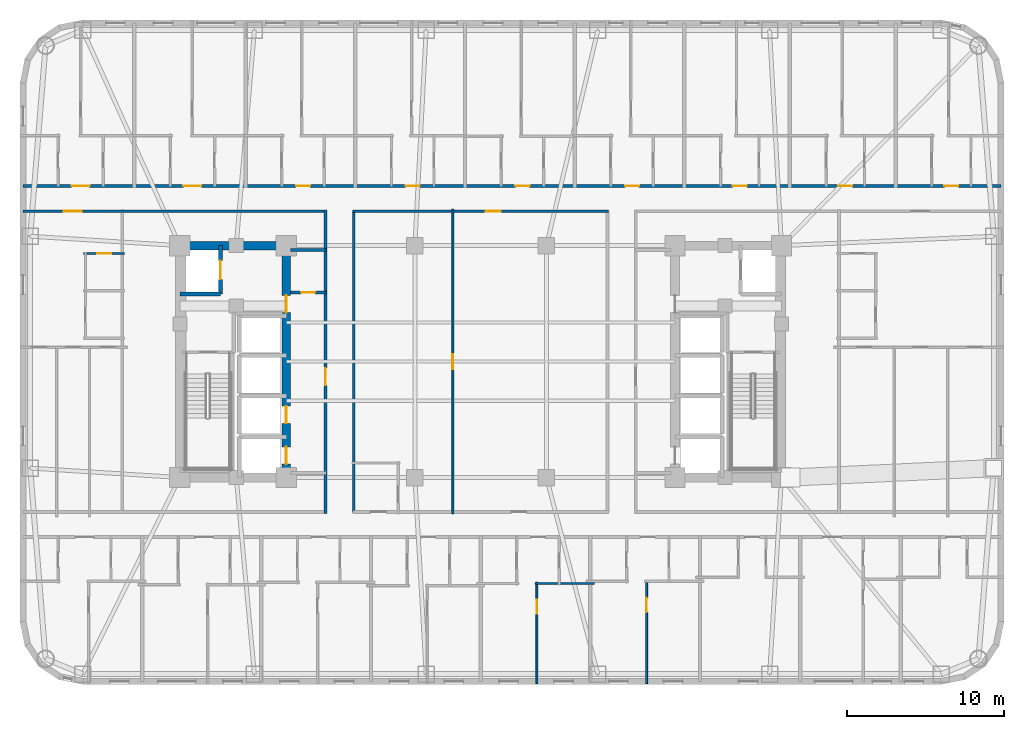
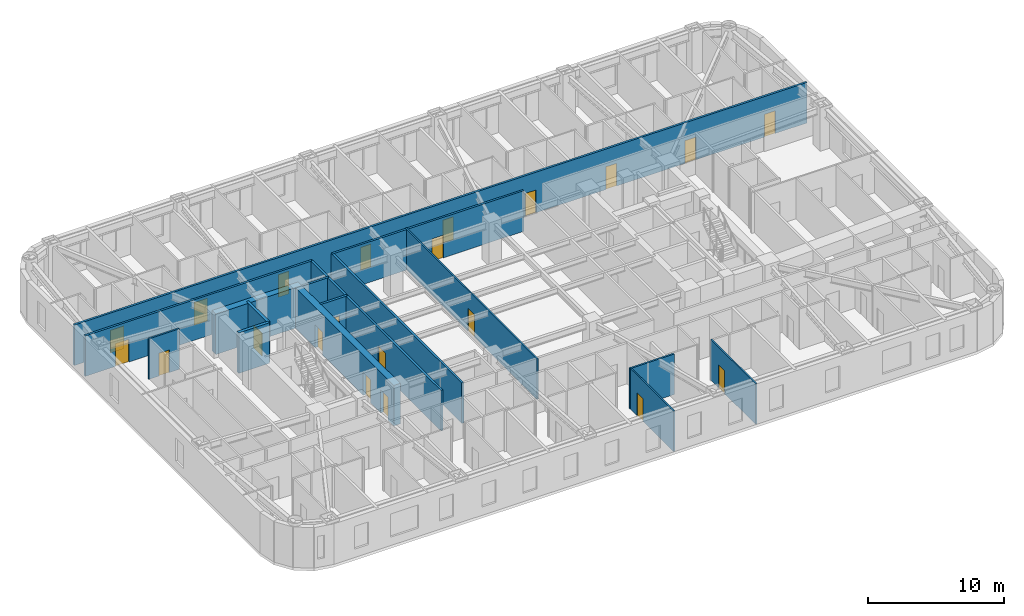
# One storey, part 6 of 13: 21 doors, 16 walls, 21 openings.
"""IFC4 building model written with IfcOpenShell, lengths in metres."""

import ifcopenshell
import ifcopenshell.guid

model = None  # the IFC model being written
_history = None  # IfcOwnerHistory: only IFC2X3 demands one
_inside = {}  # id of a spatial element -> (the spatial element, [elements in it])
_under = {}  # id of a project, library or spatial element -> (it, [spatial elements below it])
_declared = {}  # id of a project -> (the project, [libraries it declares])
_typed = {}  # id of a type object -> (the type object, [elements of that type])
_made_of = {}  # id of a material, layer set ... -> (it, [elements and type objects made of it])


def new_model(schema):
    """Start an empty IFC model of exactly this schema.

    Asked for "IFC4X3", IfcOpenShell would pick the latest addendum, in which some entities
    have other attributes; the version numbers below select the first issue.
    IFC2X3 requires an IfcOwnerHistory on every rooted entity: one is made here for all.
    """
    global model, _history
    if schema == "IFC4X3":
        model = ifcopenshell.file(schema_version=(4, 3, 0, 0))
    else:
        model = ifcopenshell.file(schema=schema)
    _inside.clear()
    _under.clear()
    _declared.clear()
    _typed.clear()
    _made_of.clear()
    _history = None
    if model.schema == "IFC2X3":
        org = make("IfcOrganization", Name="unknown")
        user = make(
            "IfcPersonAndOrganization",
            ThePerson=make("IfcPerson", FamilyName="unknown"),
            TheOrganization=org,
        )
        app = make(
            "IfcApplication",
            ApplicationDeveloper=org,
            Version="unknown",
            ApplicationFullName="unknown",
            ApplicationIdentifier="unknown",
        )
        _history = make(
            "IfcOwnerHistory",
            OwningUser=user,
            OwningApplication=app,
            ChangeAction="ADDED",
            CreationDate=0,
        )
    return model


def make(cls, **values):
    """One entity of the class cls with the attributes given. An attribute that is None is left unset."""
    return model.create_entity(
        cls, **{name: value for name, value in values.items() if value is not None}
    )


def rooted(cls, **values):
    """An entity with a GlobalId (a new one), such as an element, a storey or a relation."""
    return make(cls, GlobalId=ifcopenshell.guid.new(), OwnerHistory=_history, **values)


def si_unit(unit_type, name, prefix=None):
    """IfcSIUnit, for example si_unit("LENGTHUNIT", "METRE", prefix="MILLI")."""
    return make("IfcSIUnit", UnitType=unit_type, Prefix=prefix, Name=name)


def assignment(units):
    """IfcUnitAssignment: the units of a project."""
    return None if units is None else make("IfcUnitAssignment", Units=units)


def point(xyz):
    """IfcCartesianPoint."""
    return None if xyz is None else make("IfcCartesianPoint", Coordinates=xyz)


def direction(xyz):
    """IfcDirection."""
    return None if xyz is None else make("IfcDirection", DirectionRatios=xyz)


def frame(location, z_axis=None, x_axis=None):
    """IfcAxis2Placement3D, a coordinate frame: its origin and axes. An axis left out is left unset."""
    return make(
        "IfcAxis2Placement3D",
        Location=point(location),
        Axis=direction(z_axis),
        RefDirection=direction(x_axis),
    )


def frame_2d(location, x_axis=None):
    """IfcAxis2Placement2D, a coordinate frame in the plane: its origin and x axis."""
    return make(
        "IfcAxis2Placement2D", Location=point(location), RefDirection=direction(x_axis)
    )


def origin():
    """The frame at (0, 0, 0) with its axes left unset."""
    return frame((0.0, 0.0, 0.0))


def place(relative_to, where):
    """IfcLocalPlacement: puts the frame where relative to a parent placement (None: the world)."""
    return make(
        "IfcLocalPlacement", PlacementRelTo=relative_to, RelativePlacement=where
    )


def context(
    kind, dimensions, precision=None, world=None, true_north=None, identifier=None
):
    """IfcGeometricRepresentationContext, for example the 3D "Model" context."""
    return make(
        "IfcGeometricRepresentationContext",
        ContextIdentifier=identifier,
        ContextType=kind,
        CoordinateSpaceDimension=dimensions,
        Precision=precision,
        WorldCoordinateSystem=world,
        TrueNorth=true_north,
    )


def subcontext(parent, identifier, kind, view, scale=None):
    """IfcGeometricRepresentationSubContext, for example "Body" below "Model"."""
    return make(
        "IfcGeometricRepresentationSubContext",
        ContextIdentifier=identifier,
        ContextType=kind,
        ParentContext=parent,
        TargetScale=scale,
        TargetView=view,
    )


def project(units=None, contexts=None):
    """IfcProject with its units and contexts."""
    return rooted(
        "IfcProject",
        Name="project",
        RepresentationContexts=contexts,
        UnitsInContext=assignment(units),
    )


def spatial(cls, under=None, at=None, **own):
    """A site, building, storey or space (cls), placed at a placement, below another one or the project."""
    s = rooted(cls, ObjectPlacement=at, **own)
    if under is not None:
        _under.setdefault(under.id(), (under, []))[1].append(s)
    return s


def profile(cls, at=None, kind="AREA", **sizes):
    """A parametric profile (cls). Its sizes go by their IFC names, for example OverallWidth=200.0."""
    return make(cls, ProfileType=kind, Position=at, **sizes)


def rectangle(**sizes):
    """IfcRectangleProfileDef."""
    return profile("IfcRectangleProfileDef", **sizes)


def extrude(swept, where, along, depth):
    """IfcExtrudedAreaSolid: the profile swept, set in the frame where, extruded along a direction by depth."""
    return make(
        "IfcExtrudedAreaSolid",
        SweptArea=swept,
        Position=where,
        ExtrudedDirection=direction(along),
        Depth=depth,
    )


def shape(context_of_items, identifier, shape_type, items):
    """IfcShapeRepresentation: the items that make up one representation, for example the "Body"."""
    return make(
        "IfcShapeRepresentation",
        ContextOfItems=context_of_items,
        RepresentationIdentifier=identifier,
        RepresentationType=shape_type,
        Items=items,
    )


def material(Name=None, Category=None):
    """IfcMaterial."""
    return make("IfcMaterial", Name=Name, Category=Category)


def layer(
    of_material, thickness, ventilated=None, Name=None, Category=None, Priority=None
):
    """IfcMaterialLayer: one layer of a wall or slab, of a material (None: an air gap)."""
    return make(
        "IfcMaterialLayer",
        Material=of_material,
        LayerThickness=thickness,
        IsVentilated=ventilated,
        Name=Name,
        Category=Category,
        Priority=Priority,
    )


def layer_set(layers, Name=None):
    """IfcMaterialLayerSet."""
    return make("IfcMaterialLayerSet", MaterialLayers=layers, LayerSetName=Name)


def made_of(thing, what):
    """Note that an element or type object is made of a material, layer set ...; save() writes the relation."""
    if what is not None:
        _made_of.setdefault(what.id(), (what, []))[1].append(thing)
    return thing


def type_object(cls, material=None, **own):
    """A type object (cls), such as IfcWallType, which elements share."""
    return made_of(rooted(cls, **own), material)


def element(
    cls,
    number,
    at=None,
    inside=None,
    cuts=None,
    type_object=None,
    material=None,
    context=None,
    identifier="Body",
    shape_type=None,
    held_by="IfcProductDefinitionShape",
    body=None,
    shapes=None,
    **own,
):
    """One element of the class cls, such as IfcWall. Its Tag is "e" and its number.

    at: its placement. inside: the storey or other place that contains it. cuts: it is an
    opening in that element (IfcRelVoidsElement). A single representation is given by context,
    identifier, shape_type and body (its items); several are given by shapes. held_by: the class
    of the entity that holds the representations. save() writes the other relations.
    """
    e = rooted(cls, Tag="e%d" % number, ObjectPlacement=at, **own)
    if body is not None:
        shapes = [shape(context, identifier, shape_type, body)]
    if shapes is not None:
        e.Representation = make(held_by, Representations=shapes)
    if inside is not None:
        _inside.setdefault(inside.id(), (inside, []))[1].append(e)
    if cuts is not None:
        rooted(
            "IfcRelVoidsElement", RelatingBuildingElement=cuts, RelatedOpeningElement=e
        )
    if type_object is not None:
        _typed.setdefault(type_object.id(), (type_object, []))[1].append(e)
    return made_of(e, material)


def fill(opening, filler):
    """IfcRelFillsElement: the door or window that sits in an opening."""
    return rooted(
        "IfcRelFillsElement",
        RelatingOpeningElement=opening,
        RelatedBuildingElement=filler,
    )


def aggregate(whole, parts):
    """IfcRelAggregates: a whole, such as a stair, and the parts it consists of."""
    return rooted("IfcRelAggregates", RelatingObject=whole, RelatedObjects=parts)


def save(model, path):
    """Write the relations noted so far, then the file.

    IfcRelAggregates (storeys below a building ...), IfcRelContainedInSpatialStructure (elements
    in a storey), IfcRelDefinesByType, IfcRelAssociatesMaterial and IfcRelDeclares: one each for
    every whole, place, type object, material and project.
    """
    for whole, parts in _under.values():
        aggregate(whole, parts)
    for where, things in _inside.values():
        rooted(
            "IfcRelContainedInSpatialStructure",
            RelatedElements=things,
            RelatingStructure=where,
        )
    for kind, things in _typed.values():
        rooted("IfcRelDefinesByType", RelatedObjects=things, RelatingType=kind)
    for what, things in _made_of.values():
        rooted("IfcRelAssociatesMaterial", RelatedObjects=things, RelatingMaterial=what)
    for by, libraries in _declared.values():
        rooted("IfcRelDeclares", RelatingContext=by, RelatedDefinitions=libraries)
    model.write(path)


model = new_model("IFC4")

# Units and contexts
model_context = context("Model", 3, precision=1e-05, world=origin(), true_north=direction((0.0, 1.0)))
body_context = subcontext(model_context, "Body", "Model", "MODEL_VIEW")
ifc_project = project(units=[si_unit("LENGTHUNIT", "METRE"), si_unit("AREAUNIT", "SQUARE_METRE"), si_unit("VOLUMEUNIT", "CUBIC_METRE"), si_unit("PLANEANGLEUNIT", "RADIAN"), si_unit("MASSUNIT", "GRAM", prefix="KILO")], contexts=[model_context])

# Site, building, storey
site_placement = place(None, origin())
site = spatial("IfcSite", under=ifc_project, at=site_placement, CompositionType="ELEMENT")
building_placement = place(site_placement, origin())
building = spatial("IfcBuilding", under=site, at=building_placement, Name="Voryun Gate Residences", CompositionType="ELEMENT")
storey_placement = place(building_placement, frame((0.0, 0.0, 120.89990234375)))
storey = spatial("IfcBuildingStorey", under=building, at=storey_placement, Name="L29", CompositionType="ELEMENT", Elevation=120.89990234375)

# Wall
ifc_material_1 = material(Name="Concrete C60/75", Category="concrete")
ifc_layer_1 = layer(ifc_material_1, 0.550048828125, Name="CW_CORE_550")
ifc_layer_set_1 = layer_set([ifc_layer_1], Name="Concrete C60/75")
wall_type_1 = type_object("IfcWallType", Name="CW_CORE_550", PredefinedType="SHEAR", material=ifc_layer_set_1)
wall_1_placement = place(storey_placement, frame((-19.47509765625, 7.39990234375, 0.0), z_axis=(0.0, 0.0, 1.0), x_axis=(1.0, 0.0, 0.0)))
element("IfcWall", 1, at=wall_1_placement, inside=storey, type_object=wall_type_1, Name="L29 Core shear wall CW-L29-WN", PredefinedType="SHEAR", context=body_context, shape_type="SweptSolid", body=[
    extrude(rectangle(XDim=7.35009765625, YDim=0.550048828125, at=frame_2d((3.675048828125, 0.0))), origin(), (0.0, 0.0, 1.0), 3.650146484375),
])

# Wall, openings, doors
wall_2_placement = place(storey_placement, frame((-12.39990234375, -7.39990234375, 0.0), z_axis=(0.0, 0.0, 1.0), x_axis=(0.0, 1.0, 0.0)))
wall_2 = element("IfcWall", 2, at=wall_2_placement, inside=storey, type_object=wall_type_1, Name="L29 Core shear wall CW-L29-WE", PredefinedType="SHEAR", context=body_context, shape_type="SweptSolid", body=[
    extrude(rectangle(XDim=14.7998046875, YDim=0.550048828125, at=frame_2d((7.39990234375, 0.0))), origin(), (0.0, 0.0, 1.0), 3.650146484375),
])
opening_1_placement = place(wall_2_placement, frame((0.85009765625, 0.0, 0.0)))
opening_1 = element("IfcOpeningElement", 3, at=opening_1_placement, cuts=wall_2, Name="Opening LD2", PredefinedType="OPENING", context=body_context, shape_type="SweptSolid", body=[
    extrude(rectangle(XDim=1.10009765625, YDim=2.050048828125, at=frame_2d((0.550048828125, 1.02490234375))), frame((0.0, 0.284912109375, 0.0), z_axis=(0.0, -1.0, 0.0), x_axis=(1.0, 0.0, 0.0)), (0.0, 0.0, 1.0), 0.570068359375),
])
opening_2_placement = place(wall_2_placement, frame((3.449951171875, 0.0, 0.0)))
opening_2 = element("IfcOpeningElement", 4, at=opening_2_placement, cuts=wall_2, Name="Opening LD2", PredefinedType="OPENING", context=body_context, shape_type="SweptSolid", body=[
    extrude(rectangle(XDim=1.10009765625, YDim=2.050048828125, at=frame_2d((0.550048828125, 1.02490234375))), frame((0.0, 0.284912109375, 0.0), z_axis=(0.0, -1.0, 0.0), x_axis=(1.0, 0.0, 0.0)), (0.0, 0.0, 1.0), 0.570068359375),
])
opening_3_placement = place(wall_2_placement, frame((10.530029296875, 0.0, 0.0)))
opening_3 = element("IfcOpeningElement", 5, at=opening_3_placement, cuts=wall_2, Name="Opening D-FD60-2", PredefinedType="OPENING", context=body_context, shape_type="SweptSolid", body=[
    extrude(rectangle(XDim=1.10009765625, YDim=2.050048828125, at=frame_2d((0.550048828125, 1.02490234375))), frame((0.0, 0.284912109375, 0.0), z_axis=(0.0, -1.0, 0.0), x_axis=(1.0, 0.0, 0.0)), (0.0, 0.0, 1.0), 0.570068359375),
])
ifc_material_2 = material(Name="Painted steel fire door", Category="steel")
door_type_1 = type_object("IfcDoorType", Name="DR_FD60_FFLOB_1100", OperationType="NOTDEFINED", PredefinedType="DOOR", material=ifc_material_2)
door_1_placement = place(opening_3_placement, origin())
door_1 = element("IfcDoor", 6, at=door_1_placement, inside=storey, type_object=door_type_1, Name="Door DR-L29-CLOB-W", OperationType="SINGLE_SWING_LEFT", OverallHeight=2.050048828125, OverallWidth=1.10009765625, PredefinedType="DOOR", context=body_context, shape_type="SweptSolid", body=[
    extrude(rectangle(XDim=1.10009765625, YDim=2.050048828125, at=frame_2d((0.550048828125, 1.02490234375))), frame((0.0, 0.02490234375, 0.0), z_axis=(0.0, -1.0, 0.0), x_axis=(1.0, 0.0, 0.0)), (0.0, 0.0, 1.0), 0.050048828125),
])
fill(opening_3, door_1)
ifc_material_3 = material(Name="Anodised aluminium", Category="aluminium")
door_type_2 = type_object("IfcDoorType", Name="DR_LD_PASS_1100", OperationType="NOTDEFINED", PredefinedType="DOOR", material=ifc_material_3)
door_2_placement = place(opening_1_placement, origin())
door_2 = element("IfcDoor", 7, at=door_2_placement, inside=storey, type_object=door_type_2, Name="Lift EL-P1 sliding landing door L29", OperationType="SLIDING_TO_LEFT", OverallHeight=2.050048828125, OverallWidth=1.10009765625, PredefinedType="DOOR", context=body_context, shape_type="SweptSolid", body=[
    extrude(rectangle(XDim=1.10009765625, YDim=2.050048828125, at=frame_2d((0.550048828125, 1.02490234375))), frame((0.0, 0.02490234375, 0.0), z_axis=(0.0, -1.0, 0.0), x_axis=(1.0, 0.0, 0.0)), (0.0, 0.0, 1.0), 0.050048828125),
])
fill(opening_1, door_2)
door_3_placement = place(opening_2_placement, origin())
door_3 = element("IfcDoor", 8, at=door_3_placement, inside=storey, type_object=door_type_2, Name="Lift EL-P2 sliding landing door L29", OperationType="SLIDING_TO_LEFT", OverallHeight=2.050048828125, OverallWidth=1.10009765625, PredefinedType="DOOR", context=body_context, shape_type="SweptSolid", body=[
    extrude(rectangle(XDim=1.10009765625, YDim=2.050048828125, at=frame_2d((0.550048828125, 1.02490234375))), frame((0.0, 0.02490234375, 0.0), z_axis=(0.0, -1.0, 0.0), x_axis=(1.0, 0.0, 0.0)), (0.0, 0.0, 1.0), 0.050048828125),
])
fill(opening_2, door_3)

# Wall
ifc_material_4 = material(Name="Gypsum acoustic fireboard")
ifc_layer_2 = layer(ifc_material_4, 0.179931640625, Name="W_CORR_RATED_180")
ifc_layer_set_2 = layer_set([ifc_layer_2], Name="Gypsum acoustic fireboard")
wall_type_2 = type_object("IfcWallType", Name="W_CORR_RATED_180", PredefinedType="PARTITIONING", material=ifc_layer_set_2)
wall_3_placement = place(storey_placement, frame((-12.14990234375, 7.1201171875, 0.0), z_axis=(0.0, 0.0, 1.0), x_axis=(1.0, 0.0, 0.0)))
element("IfcWall", 9, at=wall_3_placement, inside=storey, type_object=wall_type_2, Name="Partition wall WP-L29-PLBN-W", PredefinedType="PARTITIONING", context=body_context, shape_type="SweptSolid", body=[
    extrude(rectangle(XDim=2.27001953125, YDim=0.179931640625, at=frame_2d((1.135009765625, 0.0))), origin(), (0.0, 0.0, 1.0), 3.650146484375),
])

# Wall, opening, door
wall_4_placement = place(storey_placement, frame((-9.89990234375, -9.679931640625, 0.0), z_axis=(0.0, 0.0, 1.0), x_axis=(0.0, 1.0, 0.0)))
wall_4 = element("IfcWall", 10, at=wall_4_placement, inside=storey, type_object=wall_type_2, Name="Partition wall WP-L29-PLBW-FULL", PredefinedType="PARTITIONING", context=body_context, shape_type="SweptSolid", body=[
    extrude(rectangle(XDim=19.35986328125, YDim=0.179931640625, at=frame_2d((9.679931640625, 0.0))), origin(), (0.0, 0.0, 1.0), 3.650146484375),
])
opening_4_placement = place(wall_4_placement, frame((8.162109375, 0.0, 0.0)))
opening_4 = element("IfcOpeningElement", 11, at=opening_4_placement, cuts=wall_4, Name="Opening D-FD60-2", PredefinedType="OPENING", context=body_context, shape_type="SweptSolid", body=[
    extrude(rectangle(XDim=1.10009765625, YDim=2.050048828125, at=frame_2d((0.550048828125, 1.02490234375))), frame((0.0, 0.099853515625, 0.0), z_axis=(0.0, -1.0, 0.0), x_axis=(1.0, 0.0, 0.0)), (0.0, 0.0, 1.0), 0.199951171875),
])
door_4_placement = place(opening_4_placement, origin())
door_4 = element("IfcDoor", 12, at=door_4_placement, inside=storey, type_object=door_type_1, Name="Door DR-L29-PLBW-COR", OperationType="SINGLE_SWING_LEFT", OverallHeight=2.050048828125, OverallWidth=1.10009765625, PredefinedType="DOOR", context=body_context, shape_type="SweptSolid", body=[
    extrude(rectangle(XDim=1.10009765625, YDim=2.050048828125, at=frame_2d((0.550048828125, 1.02490234375))), frame((0.0, 0.02490234375, 0.0), z_axis=(0.0, -1.0, 0.0), x_axis=(1.0, 0.0, 0.0)), (0.0, 0.0, 1.0), 0.050048828125),
])
fill(opening_4, door_4)

wall_5_placement = place(storey_placement, frame((-29.2099609375, 9.590087890625, 0.0), z_axis=(0.0, 0.0, 1.0), x_axis=(1.0, 0.0, 0.0)))
wall_5 = element("IfcWall", 13, at=wall_5_placement, inside=storey, type_object=wall_type_2, Name="Partition wall WP-L29-CWING-WN", PredefinedType="PARTITIONING", context=body_context, shape_type="SweptSolid", body=[
    extrude(rectangle(XDim=19.330078125, YDim=0.179931640625, at=frame_2d((9.6650390625, 0.0))), origin(), (0.0, 0.0, 1.0), 3.650146484375),
])
opening_5_placement = place(wall_5_placement, frame((2.58935546875, 0.0, 0.0)))
opening_5 = element("IfcOpeningElement", 14, at=opening_5_placement, cuts=wall_5, Name="Opening D-UNIT-1", PredefinedType="OPENING", context=body_context, shape_type="SweptSolid", body=[
    extrude(rectangle(XDim=1.14990234375, YDim=2.050048828125, at=frame_2d((0.574951171875, 1.02490234375))), frame((0.0, 0.099853515625, 0.0), z_axis=(0.0, -1.0, 0.0), x_axis=(1.0, 0.0, 0.0)), (0.0, 0.0, 1.0), 0.199951171875),
])
ifc_material_5 = material(Name="Armoured timber-clad fire door", Category="wood")
door_type_3 = type_object("IfcDoorType", Name="DR_UNIT_ENTRY_1150", OperationType="NOTDEFINED", PredefinedType="DOOR", material=ifc_material_5)
door_5_placement = place(opening_5_placement, origin())
door_5 = element("IfcDoor", 15, at=door_5_placement, inside=storey, type_object=door_type_3, Name="Door DR-L29-WE1N", OperationType="SINGLE_SWING_LEFT", OverallHeight=2.050048828125, OverallWidth=1.14990234375, PredefinedType="DOOR", context=body_context, shape_type="SweptSolid", body=[
    extrude(rectangle(XDim=1.14990234375, YDim=2.050048828125, at=frame_2d((0.574951171875, 1.02490234375))), frame((0.0, 0.02490234375, 0.0), z_axis=(0.0, -1.0, 0.0), x_axis=(1.0, 0.0, 0.0)), (0.0, 0.0, 1.0), 0.050048828125),
])
fill(opening_5, door_5)

wall_6_placement = place(storey_placement, frame((-8.14990234375, 9.590087890625, 0.0), z_axis=(0.0, 0.0, 1.0), x_axis=(1.0, 0.0, 0.0)))
wall_6 = element("IfcWall", 16, at=wall_6_placement, inside=storey, type_object=wall_type_2, Name="Partition wall WP-L29-Z1N", PredefinedType="PARTITIONING", context=body_context, shape_type="SweptSolid", body=[
    extrude(rectangle(XDim=16.2998046875, YDim=0.179931640625, at=frame_2d((8.14990234375, 0.0))), origin(), (0.0, 0.0, 1.0), 3.650146484375),
])
opening_6_placement = place(wall_6_placement, frame((8.489990234375, 0.0, 0.0)))
opening_6 = element("IfcOpeningElement", 17, at=opening_6_placement, cuts=wall_6, Name="Opening D-INT-1", PredefinedType="OPENING", context=body_context, shape_type="SweptSolid", body=[
    extrude(rectangle(XDim=0.949951171875, YDim=2.050048828125, at=frame_2d((0.47509765625, 1.02490234375))), frame((0.0, 0.099853515625, 0.0), z_axis=(0.0, -1.0, 0.0), x_axis=(1.0, 0.0, 0.0)), (0.0, 0.0, 1.0), 0.199951171875),
])
ifc_material_6 = material(Name="Architectural oak veneer")
door_type_4 = type_object("IfcDoorType", Name="DR_INT_ROOM_950", OperationType="NOTDEFINED", PredefinedType="DOOR", material=ifc_material_6)
door_6_placement = place(opening_6_placement, origin())
door_6 = element("IfcDoor", 18, at=door_6_placement, inside=storey, type_object=door_type_4, Name="Door DR-L29-CMIDZ1N", OperationType="SINGLE_SWING_LEFT", OverallHeight=2.050048828125, OverallWidth=0.949951171875, PredefinedType="DOOR", context=body_context, shape_type="SweptSolid", body=[
    extrude(rectangle(XDim=0.949951171875, YDim=2.050048828125, at=frame_2d((0.47509765625, 1.02490234375))), frame((0.0, 0.02490234375, 0.0), z_axis=(0.0, -1.0, 0.0), x_axis=(1.0, 0.0, 0.0)), (0.0, 0.0, 1.0), 0.050048828125),
])
fill(opening_6, door_6)

# Wall
wall_7_placement = place(storey_placement, frame((-8.10009765625, -9.6298828125, 0.0), z_axis=(0.0, 0.0, 1.0), x_axis=(0.0, 1.0, 0.0)))
element("IfcWall", 19, at=wall_7_placement, inside=storey, type_object=wall_type_2, Name="Partition wall WP-L29-Z1W", PredefinedType="PARTITIONING", context=body_context, shape_type="SweptSolid", body=[
    extrude(rectangle(XDim=19.259765625, YDim=0.179931640625, at=frame_2d((9.6298828125, 0.0))), origin(), (0.0, 0.0, 1.0), 3.650146484375),
])

# Wall, openings, doors
wall_8_placement = place(storey_placement, frame((-29.2099609375, 11.199951171875, 0.0), z_axis=(0.0, 0.0, 1.0), x_axis=(1.0, 0.0, 0.0)))
wall_8 = element("IfcWall", 20, at=wall_8_placement, inside=storey, type_object=wall_type_2, Name="Partition wall WP-L29-NCORR", PredefinedType="PARTITIONING", context=body_context, shape_type="SweptSolid", body=[
    extrude(rectangle(XDim=62.419921875, YDim=0.179931640625, at=frame_2d((31.2099609375, 0.0))), origin(), (0.0, 0.0, 1.0), 3.650146484375),
])
opening_7_placement = place(wall_8_placement, frame((3.10791015625, 0.0, 0.0)))
opening_7 = element("IfcOpeningElement", 21, at=opening_7_placement, cuts=wall_8, Name="Opening D-UNIT-1", PredefinedType="OPENING", context=body_context, shape_type="SweptSolid", body=[
    extrude(rectangle(XDim=1.14990234375, YDim=2.050048828125, at=frame_2d((0.574951171875, 1.02490234375))), frame((0.0, 0.099853515625, 0.0), z_axis=(0.0, -1.0, 0.0), x_axis=(1.0, 0.0, 0.0)), (0.0, 0.0, 1.0), 0.199951171875),
])
opening_8_placement = place(wall_8_placement, frame((10.242431640625, 0.0, 0.0)))
opening_8 = element("IfcOpeningElement", 22, at=opening_8_placement, cuts=wall_8, Name="Opening D-UNIT-1", PredefinedType="OPENING", context=body_context, shape_type="SweptSolid", body=[
    extrude(rectangle(XDim=1.14990234375, YDim=2.050048828125, at=frame_2d((0.574951171875, 1.02490234375))), frame((0.0, 0.099853515625, 0.0), z_axis=(0.0, -1.0, 0.0), x_axis=(1.0, 0.0, 0.0)), (0.0, 0.0, 1.0), 0.199951171875),
])
opening_9_placement = place(wall_8_placement, frame((17.427001953125, 0.0, 0.0)))
opening_9 = element("IfcOpeningElement", 23, at=opening_9_placement, cuts=wall_8, Name="Opening D-INT-2", PredefinedType="OPENING", context=body_context, shape_type="SweptSolid", body=[
    extrude(rectangle(XDim=0.89990234375, YDim=2.050048828125, at=frame_2d((0.449951171875, 1.02490234375))), frame((0.0, 0.099853515625, 0.0), z_axis=(0.0, -1.0, 0.0), x_axis=(1.0, 0.0, 0.0)), (0.0, 0.0, 1.0), 0.199951171875),
])
opening_10_placement = place(wall_8_placement, frame((24.42431640625, 0.0, 0.0)))
opening_10 = element("IfcOpeningElement", 24, at=opening_10_placement, cuts=wall_8, Name="Opening D-INT-2", PredefinedType="OPENING", context=body_context, shape_type="SweptSolid", body=[
    extrude(rectangle(XDim=0.89990234375, YDim=2.050048828125, at=frame_2d((0.449951171875, 1.02490234375))), frame((0.0, 0.099853515625, 0.0), z_axis=(0.0, -1.0, 0.0), x_axis=(1.0, 0.0, 0.0)), (0.0, 0.0, 1.0), 0.199951171875),
])
opening_11_placement = place(wall_8_placement, frame((31.427978515625, 0.0, 0.0)))
opening_11 = element("IfcOpeningElement", 25, at=opening_11_placement, cuts=wall_8, Name="Opening D-INT-2", PredefinedType="OPENING", context=body_context, shape_type="SweptSolid", body=[
    extrude(rectangle(XDim=0.89990234375, YDim=2.050048828125, at=frame_2d((0.449951171875, 1.02490234375))), frame((0.0, 0.099853515625, 0.0), z_axis=(0.0, -1.0, 0.0), x_axis=(1.0, 0.0, 0.0)), (0.0, 0.0, 1.0), 0.199951171875),
])
opening_12_placement = place(wall_8_placement, frame((38.42529296875, 0.0, 0.0)))
opening_12 = element("IfcOpeningElement", 26, at=opening_12_placement, cuts=wall_8, Name="Opening D-INT-2", PredefinedType="OPENING", context=body_context, shape_type="SweptSolid", body=[
    extrude(rectangle(XDim=0.89990234375, YDim=2.050048828125, at=frame_2d((0.449951171875, 1.02490234375))), frame((0.0, 0.099853515625, 0.0), z_axis=(0.0, -1.0, 0.0), x_axis=(1.0, 0.0, 0.0)), (0.0, 0.0, 1.0), 0.199951171875),
])
opening_13_placement = place(wall_8_placement, frame((45.297607421875, 0.0, 0.0)))
opening_13 = element("IfcOpeningElement", 27, at=opening_13_placement, cuts=wall_8, Name="Opening D-INT-2", PredefinedType="OPENING", context=body_context, shape_type="SweptSolid", body=[
    extrude(rectangle(XDim=0.89990234375, YDim=2.050048828125, at=frame_2d((0.449951171875, 1.02490234375))), frame((0.0, 0.099853515625, 0.0), z_axis=(0.0, -1.0, 0.0), x_axis=(1.0, 0.0, 0.0)), (0.0, 0.0, 1.0), 0.199951171875),
])
opening_14_placement = place(wall_8_placement, frame((52.03271484375, 0.0, 0.0)))
opening_14 = element("IfcOpeningElement", 28, at=opening_14_placement, cuts=wall_8, Name="Opening D-INT-2", PredefinedType="OPENING", context=body_context, shape_type="SweptSolid", body=[
    extrude(rectangle(XDim=0.89990234375, YDim=2.050048828125, at=frame_2d((0.449951171875, 1.02490234375))), frame((0.0, 0.099853515625, 0.0), z_axis=(0.0, -1.0, 0.0), x_axis=(1.0, 0.0, 0.0)), (0.0, 0.0, 1.0), 0.199951171875),
])
opening_15_placement = place(wall_8_placement, frame((58.805419921875, 0.0, 0.0)))
opening_15 = element("IfcOpeningElement", 29, at=opening_15_placement, cuts=wall_8, Name="Opening D-INT-2", PredefinedType="OPENING", context=body_context, shape_type="SweptSolid", body=[
    extrude(rectangle(XDim=0.89990234375, YDim=2.050048828125, at=frame_2d((0.449951171875, 1.02490234375))), frame((0.0, 0.099853515625, 0.0), z_axis=(0.0, -1.0, 0.0), x_axis=(1.0, 0.0, 0.0)), (0.0, 0.0, 1.0), 0.199951171875),
])
ifc_material_7 = material(Name="Architectural oak veneer")
door_type_5 = type_object("IfcDoorType", Name="DR_INT_BATH_900", OperationType="NOTDEFINED", PredefinedType="DOOR", material=ifc_material_7)
door_7_placement = place(opening_9_placement, origin())
door_7 = element("IfcDoor", 30, at=door_7_placement, inside=storey, type_object=door_type_5, Name="Door DR-L29-NENT-3", OperationType="SINGLE_SWING_LEFT", OverallHeight=2.050048828125, OverallWidth=0.89990234375, PredefinedType="DOOR", context=body_context, shape_type="SweptSolid", body=[
    extrude(rectangle(XDim=0.89990234375, YDim=2.050048828125, at=frame_2d((0.449951171875, 1.02490234375))), frame((0.0, 0.02490234375, 0.0), z_axis=(0.0, -1.0, 0.0), x_axis=(1.0, 0.0, 0.0)), (0.0, 0.0, 1.0), 0.050048828125),
])
fill(opening_9, door_7)
door_8_placement = place(opening_10_placement, origin())
door_8 = element("IfcDoor", 31, at=door_8_placement, inside=storey, type_object=door_type_5, Name="Door DR-L29-NENT-4", OperationType="SINGLE_SWING_RIGHT", OverallHeight=2.050048828125, OverallWidth=0.89990234375, PredefinedType="DOOR", context=body_context, shape_type="SweptSolid", body=[
    extrude(rectangle(XDim=0.89990234375, YDim=2.050048828125, at=frame_2d((0.449951171875, 1.02490234375))), frame((0.0, 0.02490234375, 0.0), z_axis=(0.0, -1.0, 0.0), x_axis=(1.0, 0.0, 0.0)), (0.0, 0.0, 1.0), 0.050048828125),
])
fill(opening_10, door_8)
door_9_placement = place(opening_11_placement, origin())
door_9 = element("IfcDoor", 32, at=door_9_placement, inside=storey, type_object=door_type_5, Name="Door DR-L29-NENT-5", OperationType="SINGLE_SWING_LEFT", OverallHeight=2.050048828125, OverallWidth=0.89990234375, PredefinedType="DOOR", context=body_context, shape_type="SweptSolid", body=[
    extrude(rectangle(XDim=0.89990234375, YDim=2.050048828125, at=frame_2d((0.449951171875, 1.02490234375))), frame((0.0, 0.02490234375, 0.0), z_axis=(0.0, -1.0, 0.0), x_axis=(1.0, 0.0, 0.0)), (0.0, 0.0, 1.0), 0.050048828125),
])
fill(opening_11, door_9)
door_10_placement = place(opening_12_placement, origin())
door_10 = element("IfcDoor", 33, at=door_10_placement, inside=storey, type_object=door_type_5, Name="Door DR-L29-NENT-6", OperationType="SINGLE_SWING_RIGHT", OverallHeight=2.050048828125, OverallWidth=0.89990234375, PredefinedType="DOOR", context=body_context, shape_type="SweptSolid", body=[
    extrude(rectangle(XDim=0.89990234375, YDim=2.050048828125, at=frame_2d((0.449951171875, 1.02490234375))), frame((0.0, 0.02490234375, 0.0), z_axis=(0.0, -1.0, 0.0), x_axis=(1.0, 0.0, 0.0)), (0.0, 0.0, 1.0), 0.050048828125),
])
fill(opening_12, door_10)
door_11_placement = place(opening_13_placement, origin())
door_11 = element("IfcDoor", 34, at=door_11_placement, inside=storey, type_object=door_type_5, Name="Door DR-L29-NENT-7", OperationType="SINGLE_SWING_LEFT", OverallHeight=2.050048828125, OverallWidth=0.89990234375, PredefinedType="DOOR", context=body_context, shape_type="SweptSolid", body=[
    extrude(rectangle(XDim=0.89990234375, YDim=2.050048828125, at=frame_2d((0.449951171875, 1.02490234375))), frame((0.0, 0.02490234375, 0.0), z_axis=(0.0, -1.0, 0.0), x_axis=(1.0, 0.0, 0.0)), (0.0, 0.0, 1.0), 0.050048828125),
])
fill(opening_13, door_11)
door_12_placement = place(opening_14_placement, origin())
door_12 = element("IfcDoor", 35, at=door_12_placement, inside=storey, type_object=door_type_5, Name="Door DR-L29-NENT-8", OperationType="SINGLE_SWING_RIGHT", OverallHeight=2.050048828125, OverallWidth=0.89990234375, PredefinedType="DOOR", context=body_context, shape_type="SweptSolid", body=[
    extrude(rectangle(XDim=0.89990234375, YDim=2.050048828125, at=frame_2d((0.449951171875, 1.02490234375))), frame((0.0, 0.02490234375, 0.0), z_axis=(0.0, -1.0, 0.0), x_axis=(1.0, 0.0, 0.0)), (0.0, 0.0, 1.0), 0.050048828125),
])
fill(opening_14, door_12)
door_13_placement = place(opening_15_placement, origin())
door_13 = element("IfcDoor", 36, at=door_13_placement, inside=storey, type_object=door_type_5, Name="Door DR-L29-NENT-9", OperationType="SINGLE_SWING_LEFT", OverallHeight=2.050048828125, OverallWidth=0.89990234375, PredefinedType="DOOR", context=body_context, shape_type="SweptSolid", body=[
    extrude(rectangle(XDim=0.89990234375, YDim=2.050048828125, at=frame_2d((0.449951171875, 1.02490234375))), frame((0.0, 0.02490234375, 0.0), z_axis=(0.0, -1.0, 0.0), x_axis=(1.0, 0.0, 0.0)), (0.0, 0.0, 1.0), 0.050048828125),
])
fill(opening_15, door_13)
door_14_placement = place(opening_7_placement, origin())
door_14 = element("IfcDoor", 37, at=door_14_placement, inside=storey, type_object=door_type_3, Name="Door DR-L29-NENT-1", OperationType="SINGLE_SWING_LEFT", OverallHeight=2.050048828125, OverallWidth=1.14990234375, PredefinedType="DOOR", context=body_context, shape_type="SweptSolid", body=[
    extrude(rectangle(XDim=1.14990234375, YDim=2.050048828125, at=frame_2d((0.574951171875, 1.02490234375))), frame((0.0, 0.02490234375, 0.0), z_axis=(0.0, -1.0, 0.0), x_axis=(1.0, 0.0, 0.0)), (0.0, 0.0, 1.0), 0.050048828125),
])
fill(opening_7, door_14)
door_15_placement = place(opening_8_placement, origin())
door_15 = element("IfcDoor", 38, at=door_15_placement, inside=storey, type_object=door_type_3, Name="Door DR-L29-NENT-2", OperationType="SINGLE_SWING_RIGHT", OverallHeight=2.050048828125, OverallWidth=1.14990234375, PredefinedType="DOOR", context=body_context, shape_type="SweptSolid", body=[
    extrude(rectangle(XDim=1.14990234375, YDim=2.050048828125, at=frame_2d((0.574951171875, 1.02490234375))), frame((0.0, 0.02490234375, 0.0), z_axis=(0.0, -1.0, 0.0), x_axis=(1.0, 0.0, 0.0)), (0.0, 0.0, 1.0), 0.050048828125),
])
fill(opening_8, door_15)

# Wall, opening, door
ifc_material_8 = material(Name="Concrete C40/50", Category="concrete")
ifc_layer_3 = layer(ifc_material_8, 0.199951171875, Name="W_FF_LOBBY_200")
ifc_layer_set_3 = layer_set([ifc_layer_3], Name="Concrete C40/50")
wall_type_3 = type_object("IfcWallType", Name="W_FF_LOBBY_200", PredefinedType="PARTITIONING", material=ifc_layer_set_3)
wall_9_placement = place(storey_placement, frame((-12.14990234375, 4.409912109375, 0.0), z_axis=(0.0, 0.0, 1.0), x_axis=(1.0, 0.0, 0.0)))
wall_9 = element("IfcWall", 39, at=wall_9_placement, inside=storey, type_object=wall_type_3, Name="Partition wall WP-L29-CSFLKS-W", PredefinedType="PARTITIONING", context=body_context, shape_type="SweptSolid", body=[
    extrude(rectangle(XDim=2.27001953125, YDim=0.199951171875, at=frame_2d((1.135009765625, 0.0))), origin(), (0.0, 0.0, 1.0), 3.650146484375),
])
opening_16_placement = place(wall_9_placement, frame((0.68505859375, 0.0, 0.0)))
opening_16 = element("IfcOpeningElement", 40, at=opening_16_placement, cuts=wall_9, Name="Opening D-FD60-4", PredefinedType="OPENING", context=body_context, shape_type="SweptSolid", body=[
    extrude(rectangle(XDim=0.89990234375, YDim=2.050048828125, at=frame_2d((0.449951171875, 1.02490234375))), frame((0.0, 0.110107421875, 0.0), z_axis=(0.0, -1.0, 0.0), x_axis=(1.0, 0.0, 0.0)), (0.0, 0.0, 1.0), 0.219970703125),
])
ifc_material_9 = material(Name="Painted steel fire door", Category="steel")
door_type_6 = type_object("IfcDoorType", Name="DR_FD60_RISER_900", OperationType="NOTDEFINED", PredefinedType="DOOR", material=ifc_material_9)
door_16_placement = place(opening_16_placement, origin())
door_16 = element("IfcDoor", 41, at=door_16_placement, inside=storey, type_object=door_type_6, Name="Door DR-L29-CSFLK-W", OperationType="SINGLE_SWING_LEFT", OverallHeight=2.050048828125, OverallWidth=0.89990234375, PredefinedType="DOOR", context=body_context, shape_type="SweptSolid", body=[
    extrude(rectangle(XDim=0.89990234375, YDim=2.050048828125, at=frame_2d((0.449951171875, 1.02490234375))), frame((0.0, 0.02490234375, 0.0), z_axis=(0.0, -1.0, 0.0), x_axis=(1.0, 0.0, 0.0)), (0.0, 0.0, 1.0), 0.050048828125),
])
fill(opening_16, door_16)

# Wall
ifc_material_10 = material(Name="Concrete C50/60", Category="concrete")
ifc_layer_4 = layer(ifc_material_10, 0.25, Name="W_SHAFT_RC250")
ifc_layer_set_4 = layer_set([ifc_layer_4], Name="Concrete C50/60")
wall_type_4 = type_object("IfcWallType", Name="W_SHAFT_RC250", PredefinedType="SOLIDWALL", material=ifc_layer_set_4)
wall_10_placement = place(storey_placement, frame((-19.199951171875, 4.300048828125, 0.0), z_axis=(0.0, 0.0, 1.0), x_axis=(1.0, 0.0, 0.0)))
element("IfcWall", 42, at=wall_10_placement, inside=storey, type_object=wall_type_4, Name="Lift shaft wall WSH-L29-EL-FF-W1-S", PredefinedType="SOLIDWALL", context=body_context, shape_type="SweptSolid", body=[
    extrude(rectangle(XDim=2.599853515625, YDim=0.25, at=frame_2d((1.2998046875, 0.0))), origin(), (0.0, 0.0, 1.0), 3.650146484375),
])

# Wall, opening, door
wall_11_placement = place(storey_placement, frame((-16.60009765625, 4.300048828125, 0.0), z_axis=(0.0, 0.0, 1.0), x_axis=(0.0, 1.0, 0.0)))
wall_11 = element("IfcWall", 43, at=wall_11_placement, inside=storey, type_object=wall_type_4, Name="Lift shaft wall WSH-L29-EL-FF-W1-E", PredefinedType="SOLIDWALL", context=body_context, shape_type="SweptSolid", body=[
    extrude(rectangle(XDim=3.099853515625, YDim=0.25, at=frame_2d((1.5498046875, 0.0))), origin(), (0.0, 0.0, 1.0), 3.650146484375),
])
opening_17_placement = place(wall_11_placement, frame((0.949951171875, 0.0, 0.0)))
opening_17 = element("IfcOpeningElement", 44, at=opening_17_placement, cuts=wall_11, Name="Opening LD1", PredefinedType="OPENING", context=body_context, shape_type="SweptSolid", body=[
    extrude(rectangle(XDim=1.199951171875, YDim=2.050048828125, at=frame_2d((0.60009765625, 1.02490234375))), frame((0.0, 0.135009765625, 0.0), z_axis=(0.0, -1.0, 0.0), x_axis=(1.0, 0.0, 0.0)), (0.0, 0.0, 1.0), 0.27001953125),
])
ifc_material_11 = material(Name="Anodised aluminium", Category="aluminium")
door_type_7 = type_object("IfcDoorType", Name="DR_LD_FF_1200", OperationType="NOTDEFINED", PredefinedType="DOOR", material=ifc_material_11)
door_17_placement = place(opening_17_placement, origin())
door_17 = element("IfcDoor", 45, at=door_17_placement, inside=storey, type_object=door_type_7, Name="Lift EL-FF-W1 sliding landing door L29", OperationType="SLIDING_TO_LEFT", OverallHeight=2.050048828125, OverallWidth=1.199951171875, PredefinedType="DOOR", context=body_context, shape_type="SweptSolid", body=[
    extrude(rectangle(XDim=1.199951171875, YDim=2.050048828125, at=frame_2d((0.60009765625, 1.02490234375))), frame((0.0, 0.02490234375, 0.0), z_axis=(0.0, -1.0, 0.0), x_axis=(1.0, 0.0, 0.0)), (0.0, 0.0, 1.0), 0.050048828125),
])
fill(opening_17, door_17)

ifc_material_12 = material(Name="Gypsum acoustic partition")
ifc_layer_5 = layer(ifc_material_12, 0.125, Name="W_UNIT_PART_125")
ifc_layer_set_5 = layer_set([ifc_layer_5], Name="Gypsum acoustic partition")
wall_type_5 = type_object("IfcWallType", Name="W_UNIT_PART_125", PredefinedType="PARTITIONING", material=ifc_layer_set_5)
wall_12_placement = place(storey_placement, frame((-1.77294921875, -9.719970703125, 0.0), z_axis=(0.0, 0.0, 1.0), x_axis=(0.0, 1.0, 0.0)))
wall_12 = element("IfcWall", 46, at=wall_12_placement, inside=storey, type_object=wall_type_5, Name="Partition wall WP-L29-MIDX-0", PredefinedType="PARTITIONING", context=body_context, shape_type="SweptSolid", body=[
    extrude(rectangle(XDim=19.43994140625, YDim=0.125, at=frame_2d((9.719970703125, 0.0))), origin(), (0.0, 0.0, 1.0), 3.650146484375),
])
opening_18_placement = place(wall_12_placement, frame((9.2451171875, 0.0, 0.0)))
opening_18 = element("IfcOpeningElement", 47, at=opening_18_placement, cuts=wall_12, Name="Opening D-INT-1", PredefinedType="OPENING", context=body_context, shape_type="SweptSolid", body=[
    extrude(rectangle(XDim=0.949951171875, YDim=2.050048828125, at=frame_2d((0.47509765625, 1.02490234375))), frame((0.0, 0.072509765625, 0.0), z_axis=(0.0, -1.0, 0.0), x_axis=(1.0, 0.0, 0.0)), (0.0, 0.0, 1.0), 0.14501953125),
])
door_18_placement = place(opening_18_placement, origin())
door_18 = element("IfcDoor", 48, at=door_18_placement, inside=storey, type_object=door_type_4, Name="Door DR-L29-MIDX-0", OperationType="SINGLE_SWING_LEFT", OverallHeight=2.050048828125, OverallWidth=0.949951171875, PredefinedType="DOOR", context=body_context, shape_type="SweptSolid", body=[
    extrude(rectangle(XDim=0.949951171875, YDim=2.050048828125, at=frame_2d((0.47509765625, 1.02490234375))), frame((0.0, 0.02490234375, 0.0), z_axis=(0.0, -1.0, 0.0), x_axis=(1.0, 0.0, 0.0)), (0.0, 0.0, 1.0), 0.050048828125),
])
fill(opening_18, door_18)

wall_13_placement = place(storey_placement, frame((3.590087890625, -20.56005859375, 0.0), z_axis=(0.0, 0.0, 1.0), x_axis=(0.0, 1.0, 0.0)))
wall_13 = element("IfcWall", 49, at=wall_13_placement, inside=storey, type_object=wall_type_5, Name="Partition wall WP-L29-S5-OVR", PredefinedType="PARTITIONING", context=body_context, shape_type="SweptSolid", body=[
    extrude(rectangle(XDim=6.47705078125, YDim=0.125, at=frame_2d((3.238525390625, 0.0))), origin(), (0.0, 0.0, 1.0), 3.650146484375),
])
opening_19_placement = place(wall_13_placement, frame((4.472412109375, 0.0, 0.0)))
opening_19 = element("IfcOpeningElement", 50, at=opening_19_placement, cuts=wall_13, Name="Opening D-INT-2", PredefinedType="OPENING", context=body_context, shape_type="SweptSolid", body=[
    extrude(rectangle(XDim=0.89990234375, YDim=2.050048828125, at=frame_2d((0.449951171875, 1.02490234375))), frame((0.0, 0.072509765625, 0.0), z_axis=(0.0, -1.0, 0.0), x_axis=(1.0, 0.0, 0.0)), (0.0, 0.0, 1.0), 0.14501953125),
])
door_19_placement = place(opening_19_placement, origin())
door_19 = element("IfcDoor", 51, at=door_19_placement, inside=storey, type_object=door_type_5, Name="Door DR-L29-S5-DMB", OperationType="SINGLE_SWING_RIGHT", OverallHeight=2.050048828125, OverallWidth=0.89990234375, PredefinedType="DOOR", context=body_context, shape_type="SweptSolid", body=[
    extrude(rectangle(XDim=0.89990234375, YDim=2.050048828125, at=frame_2d((0.449951171875, 1.02490234375))), frame((0.0, 0.02490234375, 0.0), z_axis=(0.0, -1.0, 0.0), x_axis=(1.0, 0.0, 0.0)), (0.0, 0.0, 1.0), 0.050048828125),
])
fill(opening_19, door_19)

wall_14_placement = place(storey_placement, frame((10.590087890625, -20.56005859375, 0.0), z_axis=(0.0, 0.0, 1.0), x_axis=(0.0, 1.0, 0.0)))
wall_14 = element("IfcWall", 52, at=wall_14_placement, inside=storey, type_object=wall_type_5, Name="Partition wall WP-L29-S6-OVR", PredefinedType="PARTITIONING", context=body_context, shape_type="SweptSolid", body=[
    extrude(rectangle(XDim=6.614990234375, YDim=0.125, at=frame_2d((3.3076171875, 0.0))), origin(), (0.0, 0.0, 1.0), 3.650146484375),
])
opening_20_placement = place(wall_14_placement, frame((4.577392578125, 0.0, 0.0)))
opening_20 = element("IfcOpeningElement", 53, at=opening_20_placement, cuts=wall_14, Name="Opening D-INT-2", PredefinedType="OPENING", context=body_context, shape_type="SweptSolid", body=[
    extrude(rectangle(XDim=0.89990234375, YDim=2.050048828125, at=frame_2d((0.449951171875, 1.02490234375))), frame((0.0, 0.072509765625, 0.0), z_axis=(0.0, -1.0, 0.0), x_axis=(1.0, 0.0, 0.0)), (0.0, 0.0, 1.0), 0.14501953125),
])
door_20_placement = place(opening_20_placement, origin())
door_20 = element("IfcDoor", 54, at=door_20_placement, inside=storey, type_object=door_type_5, Name="Door DR-L29-S6-DMB", OperationType="SINGLE_SWING_RIGHT", OverallHeight=2.050048828125, OverallWidth=0.89990234375, PredefinedType="DOOR", context=body_context, shape_type="SweptSolid", body=[
    extrude(rectangle(XDim=0.89990234375, YDim=2.050048828125, at=frame_2d((0.449951171875, 1.02490234375))), frame((0.0, 0.02490234375, 0.0), z_axis=(0.0, -1.0, 0.0), x_axis=(1.0, 0.0, 0.0)), (0.0, 0.0, 1.0), 0.050048828125),
])
fill(opening_20, door_20)

# Wall
ifc_material_13 = material(Name="Gypsum moisture-resistant partition")
ifc_layer_6 = layer(ifc_material_13, 0.14990234375, Name="W_WET_PLUMB_150")
ifc_layer_set_6 = layer_set([ifc_layer_6], Name="Gypsum moisture-resistant partition")
wall_type_6 = type_object("IfcWallType", Name="W_WET_PLUMB_150", PredefinedType="PLUMBINGWALL", material=ifc_layer_set_6)
wall_15_placement = place(storey_placement, frame((3.469970703125, -14.1630859375, 0.0), z_axis=(0.0, 0.0, 1.0), x_axis=(1.0, 0.0, 0.0)))
element("IfcWall", 55, at=wall_15_placement, inside=storey, type_object=wall_type_6, Name="Partition wall WP-L29-S5-HZB", PredefinedType="PLUMBINGWALL", context=body_context, shape_type="SweptSolid", body=[
    extrude(rectangle(XDim=3.7900390625, YDim=0.14990234375, at=frame_2d((1.89501953125, 0.0))), origin(), (0.0, 0.0, 1.0), 3.650146484375),
])

# Wall, opening, door
wall_16_placement = place(storey_placement, frame((-25.340087890625, 6.89990234375, 0.0), z_axis=(0.0, 0.0, 1.0), x_axis=(1.0, 0.0, 0.0)))
wall_16 = element("IfcWall", 56, at=wall_16_placement, inside=storey, type_object=wall_type_6, Name="Partition wall WP-L29-W1-IBT", PredefinedType="PLUMBINGWALL", context=body_context, shape_type="SweptSolid", body=[
    extrude(rectangle(XDim=2.6201171875, YDim=0.14990234375, at=frame_2d((1.31005859375, 0.0))), origin(), (0.0, 0.0, 1.0), 3.650146484375),
])
opening_21_placement = place(wall_16_placement, frame((0.860107421875, 0.0, 0.0)))
opening_21 = element("IfcOpeningElement", 57, at=opening_21_placement, cuts=wall_16, Name="Opening D-INT-2", PredefinedType="OPENING", context=body_context, shape_type="SweptSolid", body=[
    extrude(rectangle(XDim=0.89990234375, YDim=2.050048828125, at=frame_2d((0.449951171875, 1.02490234375))), frame((0.0, 0.0849609375, 0.0), z_axis=(0.0, -1.0, 0.0), x_axis=(1.0, 0.0, 0.0)), (0.0, 0.0, 1.0), 0.169921875),
])
door_21_placement = place(opening_21_placement, origin())
door_21 = element("IfcDoor", 58, at=door_21_placement, inside=storey, type_object=door_type_5, Name="Door DR-L29-W1-DK", OperationType="SINGLE_SWING_LEFT", OverallHeight=2.050048828125, OverallWidth=0.89990234375, PredefinedType="DOOR", context=body_context, shape_type="SweptSolid", body=[
    extrude(rectangle(XDim=0.89990234375, YDim=2.050048828125, at=frame_2d((0.449951171875, 1.02490234375))), frame((0.0, 0.02490234375, 0.0), z_axis=(0.0, -1.0, 0.0), x_axis=(1.0, 0.0, 0.0)), (0.0, 0.0, 1.0), 0.050048828125),
])
fill(opening_21, door_21)

save(model, "model.ifc")
